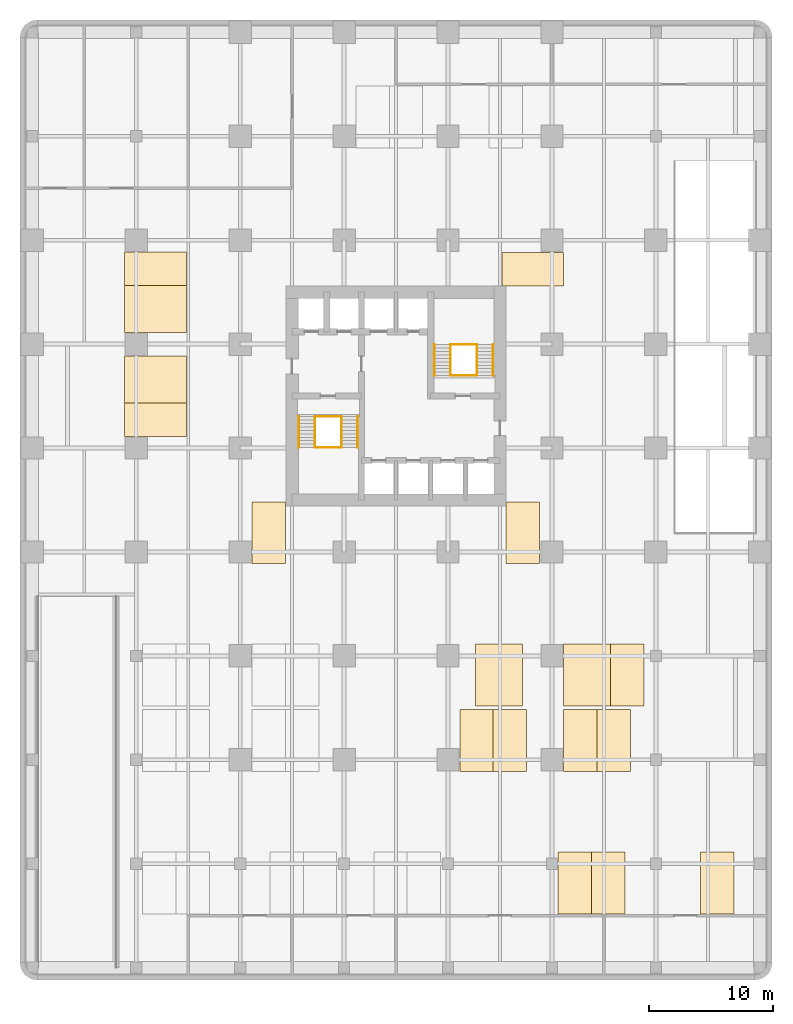
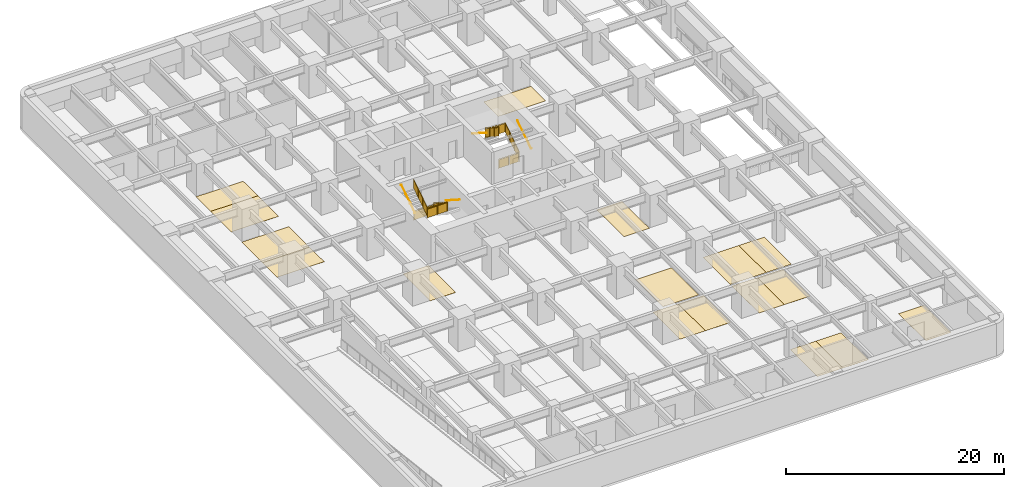
# One storey, part 8 of 9: 17 coverings, 12 railings.
"""IFC4 building model written with IfcOpenShell, lengths in metres."""

from ifc_helpers import new_model, si_unit, direction, frame, origin, origin_2d, place, context, subcontext, project, spatial, polyline, circle, outline, extrude, material, layer, layer_set, type_object, element, save


model = new_model("IFC4")

# Units and contexts
model_context = context("Model", 3, precision=1e-05, world=origin(), true_north=direction((0.0, 1.0)))
body_context = subcontext(model_context, "Body", "Model", "MODEL_VIEW")
ifc_project = project(units=[si_unit("LENGTHUNIT", "METRE"), si_unit("AREAUNIT", "SQUARE_METRE"), si_unit("VOLUMEUNIT", "CUBIC_METRE"), si_unit("PLANEANGLEUNIT", "RADIAN"), si_unit("MASSUNIT", "GRAM", prefix="KILO")], contexts=[model_context])

# Site, building, storey
site_placement = place(None, origin())
site = spatial("IfcSite", under=ifc_project, at=site_placement, CompositionType="ELEMENT")
building_placement = place(site_placement, origin())
building = spatial("IfcBuilding", under=site, at=building_placement, Name="Torre Alcanfor", CompositionType="ELEMENT")
storey_placement = place(building_placement, frame((0.0, 0.0, -3.60009765625)))
storey = spatial("IfcBuildingStorey", under=building, at=storey_placement, Name="B1", CompositionType="ELEMENT", Elevation=-3.60009765625)

# Coverings
ifc_material_1 = material(Name="Line-marking paint on sealed concrete", Category="concrete")
ifc_layer_1 = layer(ifc_material_1, 0.0029296875)
ifc_layer_set_1 = layer_set([ifc_layer_1], Name="Accessible parking bay marking 3800x5000")
covering_type_1 = type_object("IfcCoveringType", Name="Accessible parking bay marking 3800x5000", PredefinedType="USERDEFINED", material=ifc_layer_set_1)
covering_1_placement = place(storey_placement, origin())
element("IfcCovering", 1, at=covering_1_placement, inside=storey, type_object=covering_type_1, Name="Accessible parking bay 122", ObjectType="PARKING BAY", PredefinedType="USERDEFINED", context=body_context, shape_type="SweptSolid", body=[
    extrude(outline(polyline([(35.800048828125, 4.35009765625), (39.60009765625, 4.35009765625), (39.60009765625, 9.35009765625), (35.800048828125, 9.35009765625), (35.800048828125, 4.35009765625)])), origin(), (0.0, 0.0, 1.0), 0.003173828125),
])
covering_2_placement = place(storey_placement, origin())
element("IfcCovering", 2, at=covering_2_placement, inside=storey, type_object=covering_type_1, Name="Accessible parking bay 123", ObjectType="PARKING BAY", PredefinedType="USERDEFINED", context=body_context, shape_type="SweptSolid", body=[
    extrude(outline(polyline([(42.949951171875, 4.35009765625), (46.75, 4.35009765625), (46.75, 9.35009765625), (42.949951171875, 9.35009765625), (42.949951171875, 4.35009765625)])), origin(), (0.0, 0.0, 1.0), 0.003173828125),
])
covering_3_placement = place(storey_placement, origin())
element("IfcCovering", 3, at=covering_3_placement, inside=storey, type_object=covering_type_1, Name="Accessible parking bay 128", ObjectType="PARKING BAY", PredefinedType="USERDEFINED", context=body_context, shape_type="SweptSolid", body=[
    extrude(outline(polyline([(7.449951171875, 28.85009765625), (12.449951171875, 28.85009765625), (12.449951171875, 32.64990234375), (7.449951171875, 32.64990234375), (7.449951171875, 28.85009765625)])), origin(), (0.0, 0.0, 1.0), 0.003173828125),
])
covering_4_placement = place(storey_placement, origin())
element("IfcCovering", 4, at=covering_4_placement, inside=storey, type_object=covering_type_1, Name="Accessible parking bay 129", ObjectType="PARKING BAY", PredefinedType="USERDEFINED", context=body_context, shape_type="SweptSolid", body=[
    extrude(outline(polyline([(7.449951171875, 34.550048828125), (12.449951171875, 34.550048828125), (12.449951171875, 38.35009765625), (7.449951171875, 38.35009765625), (7.449951171875, 34.550048828125)])), origin(), (0.0, 0.0, 1.0), 0.003173828125),
])
ifc_material_2 = material(Name="Line-marking paint on sealed concrete", Category="concrete")
ifc_layer_2 = layer(ifc_material_2, 0.0029296875)
ifc_layer_set_2 = layer_set([ifc_layer_2], Name="Parking bay marking 2700x5000")
covering_type_2 = type_object("IfcCoveringType", Name="Parking bay marking 2700x5000", PredefinedType="USERDEFINED", material=ifc_layer_set_2)
covering_5_placement = place(storey_placement, origin())
element("IfcCovering", 5, at=covering_5_placement, inside=storey, type_object=covering_type_2, Name="Parking bay 107", ObjectType="PARKING BAY", PredefinedType="USERDEFINED", context=body_context, shape_type="SweptSolid", body=[
    extrude(outline(polyline([(42.5, -12.449951171875), (45.199951171875, -12.449951171875), (45.199951171875, -7.449951171875), (42.5, -7.449951171875), (42.5, -12.449951171875)])), origin(), (0.0, 0.0, 1.0), 0.003173828125),
])
covering_6_placement = place(storey_placement, origin())
element("IfcCovering", 6, at=covering_6_placement, inside=storey, type_object=covering_type_2, Name="Parking bay 108", ObjectType="PARKING BAY", PredefinedType="USERDEFINED", context=body_context, shape_type="SweptSolid", body=[
    extrude(outline(polyline([(45.199951171875, -12.449951171875), (47.89990234375, -12.449951171875), (47.89990234375, -7.449951171875), (45.199951171875, -7.449951171875), (45.199951171875, -12.449951171875)])), origin(), (0.0, 0.0, 1.0), 0.003173828125),
])
covering_7_placement = place(storey_placement, origin())
element("IfcCovering", 7, at=covering_7_placement, inside=storey, type_object=covering_type_2, Name="Parking bay 109", ObjectType="PARKING BAY", PredefinedType="USERDEFINED", context=body_context, shape_type="SweptSolid", body=[
    extrude(outline(polyline([(54.0, -12.449951171875), (56.699951171875, -12.449951171875), (56.699951171875, -7.449951171875), (54.0, -7.449951171875), (54.0, -12.449951171875)])), origin(), (0.0, 0.0, 1.0), 0.003173828125),
])
covering_8_placement = place(storey_placement, origin())
element("IfcCovering", 8, at=covering_8_placement, inside=storey, type_object=covering_type_2, Name="Parking bay 114", ObjectType="PARKING BAY", PredefinedType="USERDEFINED", context=body_context, shape_type="SweptSolid", body=[
    extrude(outline(polyline([(34.550048828125, -0.949951171875), (37.25, -0.949951171875), (37.25, 4.050048828125), (34.550048828125, 4.050048828125), (34.550048828125, -0.949951171875)])), origin(), (0.0, 0.0, 1.0), 0.003173828125),
])
covering_9_placement = place(storey_placement, origin())
element("IfcCovering", 9, at=covering_9_placement, inside=storey, type_object=covering_type_2, Name="Parking bay 115", ObjectType="PARKING BAY", PredefinedType="USERDEFINED", context=body_context, shape_type="SweptSolid", body=[
    extrude(outline(polyline([(37.25, -0.949951171875), (39.949951171875, -0.949951171875), (39.949951171875, 4.050048828125), (37.25, 4.050048828125), (37.25, -0.949951171875)])), origin(), (0.0, 0.0, 1.0), 0.003173828125),
])
covering_10_placement = place(storey_placement, origin())
element("IfcCovering", 10, at=covering_10_placement, inside=storey, type_object=covering_type_2, Name="Parking bay 116", ObjectType="PARKING BAY", PredefinedType="USERDEFINED", context=body_context, shape_type="SweptSolid", body=[
    extrude(outline(polyline([(42.949951171875, -0.949951171875), (45.64990234375, -0.949951171875), (45.64990234375, 4.050048828125), (42.949951171875, 4.050048828125), (42.949951171875, -0.949951171875)])), origin(), (0.0, 0.0, 1.0), 0.003173828125),
])
covering_11_placement = place(storey_placement, origin())
element("IfcCovering", 11, at=covering_11_placement, inside=storey, type_object=covering_type_2, Name="Parking bay 117", ObjectType="PARKING BAY", PredefinedType="USERDEFINED", context=body_context, shape_type="SweptSolid", body=[
    extrude(outline(polyline([(45.64990234375, -0.949951171875), (48.35009765625, -0.949951171875), (48.35009765625, 4.050048828125), (45.64990234375, 4.050048828125), (45.64990234375, -0.949951171875)])), origin(), (0.0, 0.0, 1.0), 0.003173828125),
])
covering_12_placement = place(storey_placement, origin())
element("IfcCovering", 12, at=covering_12_placement, inside=storey, type_object=covering_type_2, Name="Parking bay 124", ObjectType="PARKING BAY", PredefinedType="USERDEFINED", context=body_context, shape_type="SweptSolid", body=[
    extrude(outline(polyline([(46.75, 4.35009765625), (49.449951171875, 4.35009765625), (49.449951171875, 9.35009765625), (46.75, 9.35009765625), (46.75, 4.35009765625)])), origin(), (0.0, 0.0, 1.0), 0.003173828125),
])
covering_13_placement = place(storey_placement, origin())
element("IfcCovering", 13, at=covering_13_placement, inside=storey, type_object=covering_type_2, Name="Parking bay 125", ObjectType="PARKING BAY", PredefinedType="USERDEFINED", context=body_context, shape_type="SweptSolid", body=[
    extrude(outline(polyline([(17.75, 15.85009765625), (20.449951171875, 15.85009765625), (20.449951171875, 20.85009765625), (17.75, 20.85009765625), (17.75, 15.85009765625)])), origin(), (0.0, 0.0, 1.0), 0.003173828125),
])
covering_14_placement = place(storey_placement, origin())
element("IfcCovering", 14, at=covering_14_placement, inside=storey, type_object=covering_type_2, Name="Parking bay 126", ObjectType="PARKING BAY", PredefinedType="USERDEFINED", context=body_context, shape_type="SweptSolid", body=[
    extrude(outline(polyline([(38.300048828125, 15.85009765625), (41.0, 15.85009765625), (41.0, 20.85009765625), (38.300048828125, 20.85009765625), (38.300048828125, 15.85009765625)])), origin(), (0.0, 0.0, 1.0), 0.003173828125),
])
covering_15_placement = place(storey_placement, origin())
element("IfcCovering", 15, at=covering_15_placement, inside=storey, type_object=covering_type_2, Name="Parking bay 127", ObjectType="PARKING BAY", PredefinedType="USERDEFINED", context=body_context, shape_type="SweptSolid", body=[
    extrude(outline(polyline([(7.449951171875, 26.14990234375), (12.449951171875, 26.14990234375), (12.449951171875, 28.85009765625), (7.449951171875, 28.85009765625), (7.449951171875, 26.14990234375)])), origin(), (0.0, 0.0, 1.0), 0.003173828125),
])
covering_16_placement = place(storey_placement, origin())
element("IfcCovering", 16, at=covering_16_placement, inside=storey, type_object=covering_type_2, Name="Parking bay 130", ObjectType="PARKING BAY", PredefinedType="USERDEFINED", context=body_context, shape_type="SweptSolid", body=[
    extrude(outline(polyline([(7.449951171875, 38.35009765625), (12.449951171875, 38.35009765625), (12.449951171875, 41.050048828125), (7.449951171875, 41.050048828125), (7.449951171875, 38.35009765625)])), origin(), (0.0, 0.0, 1.0), 0.003173828125),
])
covering_17_placement = place(storey_placement, origin())
element("IfcCovering", 17, at=covering_17_placement, inside=storey, type_object=covering_type_2, Name="Parking bay 131", ObjectType="PARKING BAY", PredefinedType="USERDEFINED", context=body_context, shape_type="SweptSolid", body=[
    extrude(outline(polyline([(37.949951171875, 38.300048828125), (42.949951171875, 38.300048828125), (42.949951171875, 41.0), (37.949951171875, 41.0), (37.949951171875, 38.300048828125)])), origin(), (0.0, 0.0, 1.0), 0.003173828125),
])

# Railings
ifc_material_3 = material(Name="Steel ASTM A500 Grade C hollow sections", Category="steel")
railing_type_1 = type_object("IfcRailingType", Name="Stair guard and handrail 1100", PredefinedType="GUARDRAIL", material=ifc_material_3)
railing_1_placement = place(storey_placement, frame((25.0, 27.75, 0.18017578125)))
element("IfcRailing", 18, at=railing_1_placement, inside=storey, type_object=railing_type_1, Name="Stair guard S1 B1 flight 1", PredefinedType="GUARDRAIL", context=body_context, shape_type="SweptSolid", body=[
    extrude(circle(Radius=0.02392578125, at=origin_2d()), frame((0.0, 0.0, 1.076171875), z_axis=(0.0, -0.841199657755, 0.540724639528), x_axis=(1.0, 0.0, 0.0)), (0.0, 0.0, 1.0), 2.995849609375),
    extrude(circle(Radius=0.02099609375, at=origin_2d()), origin(), (0.0, 0.0, 1.0), 1.052001953125),
    extrude(circle(Radius=0.02099609375, at=origin_2d()), frame((0.0, -0.840087890625, 0.5400390625)), (0.0, 0.0, 1.0), 1.052001953125),
    extrude(circle(Radius=0.02099609375, at=origin_2d()), frame((0.0, -1.679931640625, 1.079833984375)), (0.0, 0.0, 1.0), 1.052001953125),
    extrude(circle(Radius=0.02099609375, at=origin_2d()), frame((0.0, -2.52001953125, 1.619873046875)), (0.0, 0.0, 1.0), 1.052001953125),
    extrude(outline(polyline([(0.041015625, 0.076416015625), (0.799072265625, 0.563720703125), (0.799072265625, 1.515625), (0.041015625, 1.0283203125), (0.041015625, 0.076416015625)])), frame((0.005859375, 0.0, 0.0), z_axis=(-1.0, 0.0, 0.0), x_axis=(0.0, -1.0, 0.0)), (0.0, 0.0, 1.0), 0.011962890625),
    extrude(outline(polyline([(0.881103515625, 0.6162109375), (1.638916015625, 1.103515625), (1.638916015625, 2.0556640625), (0.881103515625, 1.568359375), (0.881103515625, 0.6162109375)])), frame((0.005859375, 0.0, 0.0), z_axis=(-1.0, 0.0, 0.0), x_axis=(0.0, -1.0, 0.0)), (0.0, 0.0, 1.0), 0.011962890625),
    extrude(outline(polyline([(1.720947265625, 1.15625), (2.47900390625, 1.6435546875), (2.47900390625, 2.595458984375), (1.720947265625, 2.108154296875), (1.720947265625, 1.15625)])), frame((0.005859375, 0.0, 0.0), z_axis=(-1.0, 0.0, 0.0), x_axis=(0.0, -1.0, 0.0)), (0.0, 0.0, 1.0), 0.011962890625),
])
railing_2_placement = place(storey_placement, frame((22.85009765625, 25.22998046875, 1.97998046875)))
element("IfcRailing", 19, at=railing_2_placement, inside=storey, type_object=railing_type_1, Name="Stair guard S1 B1 flight 2", PredefinedType="GUARDRAIL", context=body_context, shape_type="SweptSolid", body=[
    extrude(circle(Radius=0.02392578125, at=origin_2d()), frame((0.0, 0.0, 1.076171875), z_axis=(0.0, 0.841162588446, 0.540782303519), x_axis=(-1.0, 0.0, 0.0)), (0.0, 0.0, 1.0), 2.995849609375),
    extrude(circle(Radius=0.02099609375, at=origin_2d()), origin(), (0.0, 0.0, 1.0), 1.052001953125),
    extrude(circle(Radius=0.02099609375, at=origin_2d()), frame((0.0, 0.840087890625, 0.5400390625)), (0.0, 0.0, 1.0), 1.052001953125),
    extrude(circle(Radius=0.02099609375, at=origin_2d()), frame((0.0, 1.679931640625, 1.080078125)), (0.0, 0.0, 1.0), 1.052001953125),
    extrude(circle(Radius=0.02099609375, at=origin_2d()), frame((0.0, 2.52001953125, 1.6201171875)), (0.0, 0.0, 1.0), 1.052001953125),
    extrude(outline(polyline([(0.041015625, 0.076416015625), (0.799072265625, 0.563720703125), (0.799072265625, 1.515625), (0.041015625, 1.0283203125), (0.041015625, 0.076416015625)])), frame((-0.005859375, 0.0, 0.0), z_axis=(1.0, 0.0, 0.0), x_axis=(0.0, 1.0, 0.0)), (0.0, 0.0, 1.0), 0.011962890625),
    extrude(outline(polyline([(0.881103515625, 0.616455078125), (1.638916015625, 1.103759765625), (1.638916015625, 2.0556640625), (0.881103515625, 1.568359375), (0.881103515625, 0.616455078125)])), frame((-0.005859375, 0.0, 0.0), z_axis=(1.0, 0.0, 0.0), x_axis=(0.0, 1.0, 0.0)), (0.0, 0.0, 1.0), 0.011962890625),
    extrude(outline(polyline([(1.720947265625, 1.156494140625), (2.47900390625, 1.643798828125), (2.47900390625, 2.595703125), (1.720947265625, 2.1083984375), (1.720947265625, 1.156494140625)])), frame((-0.005859375, 0.0, 0.0), z_axis=(1.0, 0.0, 0.0), x_axis=(0.0, 1.0, 0.0)), (0.0, 0.0, 1.0), 0.011962890625),
])
for number, where, name in (
    (20, (22.85009765625, 27.75, 0.0), "Stair well guard S1 B1 floor landing"),
    (21, (22.85009765625, 25.22998046875, 1.800048828125), "Stair well guard S1 B1 half landing"),
):
    element("IfcRailing", number, at=place(storey_placement, frame(where)), inside=storey, type_object=railing_type_1, Name=name, PredefinedType="GUARDRAIL", context=body_context, shape_type="SweptSolid", body=[
        extrude(circle(Radius=0.02392578125, at=origin_2d()), frame((0.0, 0.0, 1.076171875), z_axis=(1.0, 0.0, 0.0), x_axis=(0.0, 1.0, 0.0)), (0.0, 0.0, 1.0), 2.14990234375),
        extrude(circle(Radius=0.02099609375, at=origin_2d()), origin(), (0.0, 0.0, 1.0), 1.052001953125),
        extrude(circle(Radius=0.02099609375, at=origin_2d()), frame((1.074951171875, 0.0, 0.0)), (0.0, 0.0, 1.0), 1.052001953125),
        extrude(circle(Radius=0.02099609375, at=origin_2d()), frame((2.14990234375, 0.0, 0.0)), (0.0, 0.0, 1.0), 1.052001953125),
        extrude(outline(polyline([(0.041015625, 0.050048828125), (1.033935546875, 0.050048828125), (1.033935546875, 1.001953125), (0.041015625, 1.001953125), (0.041015625, 0.050048828125)])), frame((0.0, 0.005859375, 0.0), z_axis=(0.0, -1.0, 0.0), x_axis=(1.0, 0.0, 0.0)), (0.0, 0.0, 1.0), 0.011962890625),
        extrude(outline(polyline([(1.115966796875, 0.050048828125), (2.10888671875, 0.050048828125), (2.10888671875, 1.001953125), (1.115966796875, 1.001953125), (1.115966796875, 0.050048828125)])), frame((0.0, 0.005859375, 0.0), z_axis=(0.0, -1.0, 0.0), x_axis=(1.0, 0.0, 0.0)), (0.0, 0.0, 1.0), 0.011962890625),
    ])
railing_3_placement = place(storey_placement, frame((35.949951171875, 31.050048828125, 0.18017578125)))
element("IfcRailing", 22, at=railing_3_placement, inside=storey, type_object=railing_type_1, Name="Stair guard S2 B1 flight 1", PredefinedType="GUARDRAIL", context=body_context, shape_type="SweptSolid", body=[
    extrude(circle(Radius=0.02392578125, at=origin_2d()), frame((0.0, 0.0, 1.076171875), z_axis=(0.0, 0.841199657755, 0.540724639528), x_axis=(-1.0, 0.0, 0.0)), (0.0, 0.0, 1.0), 2.995849609375),
    extrude(circle(Radius=0.02099609375, at=origin_2d()), origin(), (0.0, 0.0, 1.0), 1.052001953125),
    extrude(circle(Radius=0.02099609375, at=origin_2d()), frame((0.0, 0.840087890625, 0.5400390625)), (0.0, 0.0, 1.0), 1.052001953125),
    extrude(circle(Radius=0.02099609375, at=origin_2d()), frame((0.0, 1.679931640625, 1.079833984375)), (0.0, 0.0, 1.0), 1.052001953125),
    extrude(circle(Radius=0.02099609375, at=origin_2d()), frame((0.0, 2.52001953125, 1.619873046875)), (0.0, 0.0, 1.0), 1.052001953125),
    extrude(outline(polyline([(0.041015625, 0.076416015625), (0.799072265625, 0.563720703125), (0.799072265625, 1.515625), (0.041015625, 1.0283203125), (0.041015625, 0.076416015625)])), frame((-0.005859375, 0.0, 0.0), z_axis=(1.0, 0.0, 0.0), x_axis=(0.0, 1.0, 0.0)), (0.0, 0.0, 1.0), 0.011962890625),
    extrude(outline(polyline([(0.881103515625, 0.6162109375), (1.638916015625, 1.103515625), (1.638916015625, 2.0556640625), (0.881103515625, 1.568359375), (0.881103515625, 0.6162109375)])), frame((-0.005859375, 0.0, 0.0), z_axis=(1.0, 0.0, 0.0), x_axis=(0.0, 1.0, 0.0)), (0.0, 0.0, 1.0), 0.011962890625),
    extrude(outline(polyline([(1.720947265625, 1.15625), (2.47900390625, 1.6435546875), (2.47900390625, 2.595458984375), (1.720947265625, 2.108154296875), (1.720947265625, 1.15625)])), frame((-0.005859375, 0.0, 0.0), z_axis=(1.0, 0.0, 0.0), x_axis=(0.0, 1.0, 0.0)), (0.0, 0.0, 1.0), 0.011962890625),
])
railing_4_placement = place(storey_placement, frame((33.800048828125, 33.570068359375, 1.97998046875)))
element("IfcRailing", 23, at=railing_4_placement, inside=storey, type_object=railing_type_1, Name="Stair guard S2 B1 flight 2", PredefinedType="GUARDRAIL", context=body_context, shape_type="SweptSolid", body=[
    extrude(circle(Radius=0.02392578125, at=origin_2d()), frame((0.0, 0.0, 1.076171875), z_axis=(0.0, -0.841162588446, 0.540782303519), x_axis=(1.0, 0.0, 0.0)), (0.0, 0.0, 1.0), 2.995849609375),
    extrude(circle(Radius=0.02099609375, at=origin_2d()), origin(), (0.0, 0.0, 1.0), 1.052001953125),
    extrude(circle(Radius=0.02099609375, at=origin_2d()), frame((0.0, -0.840087890625, 0.5400390625)), (0.0, 0.0, 1.0), 1.052001953125),
    extrude(circle(Radius=0.02099609375, at=origin_2d()), frame((0.0, -1.679931640625, 1.080078125)), (0.0, 0.0, 1.0), 1.052001953125),
    extrude(circle(Radius=0.02099609375, at=origin_2d()), frame((0.0, -2.52001953125, 1.6201171875)), (0.0, 0.0, 1.0), 1.052001953125),
    extrude(outline(polyline([(0.041015625, 0.076416015625), (0.799072265625, 0.563720703125), (0.799072265625, 1.515625), (0.041015625, 1.0283203125), (0.041015625, 0.076416015625)])), frame((0.005859375, 0.0, 0.0), z_axis=(-1.0, 0.0, 0.0), x_axis=(0.0, -1.0, 0.0)), (0.0, 0.0, 1.0), 0.011962890625),
    extrude(outline(polyline([(0.881103515625, 0.616455078125), (1.638916015625, 1.103759765625), (1.638916015625, 2.0556640625), (0.881103515625, 1.568359375), (0.881103515625, 0.616455078125)])), frame((0.005859375, 0.0, 0.0), z_axis=(-1.0, 0.0, 0.0), x_axis=(0.0, -1.0, 0.0)), (0.0, 0.0, 1.0), 0.011962890625),
    extrude(outline(polyline([(1.720947265625, 1.156494140625), (2.47900390625, 1.643798828125), (2.47900390625, 2.595703125), (1.720947265625, 2.1083984375), (1.720947265625, 1.156494140625)])), frame((0.005859375, 0.0, 0.0), z_axis=(-1.0, 0.0, 0.0), x_axis=(0.0, -1.0, 0.0)), (0.0, 0.0, 1.0), 0.011962890625),
])
for number, where, name in (
    (24, (33.800048828125, 31.050048828125, 0.0), "Stair well guard S2 B1 floor landing"),
    (25, (33.800048828125, 33.570068359375, 1.800048828125), "Stair well guard S2 B1 half landing"),
):
    element("IfcRailing", number, at=place(storey_placement, frame(where)), inside=storey, type_object=railing_type_1, Name=name, PredefinedType="GUARDRAIL", context=body_context, shape_type="SweptSolid", body=[
        extrude(circle(Radius=0.02392578125, at=origin_2d()), frame((0.0, 0.0, 1.076171875), z_axis=(1.0, 0.0, 0.0), x_axis=(0.0, 1.0, 0.0)), (0.0, 0.0, 1.0), 2.14990234375),
        extrude(circle(Radius=0.02099609375, at=origin_2d()), origin(), (0.0, 0.0, 1.0), 1.052001953125),
        extrude(circle(Radius=0.02099609375, at=origin_2d()), frame((1.074951171875, 0.0, 0.0)), (0.0, 0.0, 1.0), 1.052001953125),
        extrude(circle(Radius=0.02099609375, at=origin_2d()), frame((2.14990234375, 0.0, 0.0)), (0.0, 0.0, 1.0), 1.052001953125),
        extrude(outline(polyline([(0.041015625, 0.050048828125), (1.033935546875, 0.050048828125), (1.033935546875, 1.001953125), (0.041015625, 1.001953125), (0.041015625, 0.050048828125)])), frame((0.0, 0.005859375, 0.0), z_axis=(0.0, -1.0, 0.0), x_axis=(1.0, 0.0, 0.0)), (0.0, 0.0, 1.0), 0.011962890625),
        extrude(outline(polyline([(1.115966796875, 0.050048828125), (2.10888671875, 0.050048828125), (2.10888671875, 1.001953125), (1.115966796875, 1.001953125), (1.115966796875, 0.050048828125)])), frame((0.0, 0.005859375, 0.0), z_axis=(0.0, -1.0, 0.0), x_axis=(1.0, 0.0, 0.0)), (0.0, 0.0, 1.0), 0.011962890625),
    ])
ifc_material_4 = material(Name="Steel ASTM A500 Grade C hollow sections", Category="steel")
railing_type_2 = type_object("IfcRailingType", Name="Stair wall handrail 900", PredefinedType="HANDRAIL", material=ifc_material_4)
railing_5_placement = place(storey_placement, frame((26.284912109375, 27.75, 0.18017578125)))
element("IfcRailing", 26, at=railing_5_placement, inside=storey, type_object=railing_type_2, Name="Stair handrail S1 B1 flight 1", PredefinedType="HANDRAIL", context=body_context, shape_type="SweptSolid", body=[
    extrude(circle(Radius=0.02392578125, at=origin_2d()), frame((0.0, 0.0, 0.8759765625), z_axis=(0.0, -0.841199657755, 0.540724639528), x_axis=(1.0, 0.0, 0.0)), (0.0, 0.0, 1.0), 2.995849609375),
    extrude(circle(Radius=0.008056640625, at=origin_2d()), frame((0.0, 0.0, 0.8759765625), z_axis=(1.0, 0.0, 0.0), x_axis=(0.0, 0.0, 1.0)), (0.0, 0.0, 1.0), 0.06494140625),
    extrude(circle(Radius=0.008056640625, at=origin_2d()), frame((0.0, -0.840087890625, 1.415771484375), z_axis=(1.0, 0.0, 0.0), x_axis=(0.0, 0.0, 1.0)), (0.0, 0.0, 1.0), 0.06494140625),
    extrude(circle(Radius=0.008056640625, at=origin_2d()), frame((0.0, -1.679931640625, 1.955810546875), z_axis=(1.0, 0.0, 0.0), x_axis=(0.0, 0.0, 1.0)), (0.0, 0.0, 1.0), 0.06494140625),
    extrude(circle(Radius=0.008056640625, at=origin_2d()), frame((0.0, -2.52001953125, 2.49560546875), z_axis=(1.0, 0.0, 0.0), x_axis=(0.0, 0.0, 1.0)), (0.0, 0.0, 1.0), 0.06494140625),
])
railing_6_placement = place(storey_placement, frame((21.56494140625, 25.22998046875, 1.97998046875)))
element("IfcRailing", 27, at=railing_6_placement, inside=storey, type_object=railing_type_2, Name="Stair handrail S1 B1 flight 2", PredefinedType="HANDRAIL", context=body_context, shape_type="SweptSolid", body=[
    extrude(circle(Radius=0.02392578125, at=origin_2d()), frame((0.0, 0.0, 0.8759765625), z_axis=(0.0, 0.841162588446, 0.540782303519), x_axis=(-1.0, 0.0, 0.0)), (0.0, 0.0, 1.0), 2.995849609375),
    extrude(circle(Radius=0.008056640625, at=origin_2d()), frame((0.0, 0.0, 0.8759765625), z_axis=(-1.0, 0.0, 0.0), x_axis=(0.0, 0.0, 1.0)), (0.0, 0.0, 1.0), 0.06494140625),
    extrude(circle(Radius=0.008056640625, at=origin_2d()), frame((0.0, 0.840087890625, 1.416015625), z_axis=(-1.0, 0.0, 0.0), x_axis=(0.0, 0.0, 1.0)), (0.0, 0.0, 1.0), 0.06494140625),
    extrude(circle(Radius=0.008056640625, at=origin_2d()), frame((0.0, 1.679931640625, 1.9560546875), z_axis=(-1.0, 0.0, 0.0), x_axis=(0.0, 0.0, 1.0)), (0.0, 0.0, 1.0), 0.06494140625),
    extrude(circle(Radius=0.008056640625, at=origin_2d()), frame((0.0, 2.52001953125, 2.49609375), z_axis=(-1.0, 0.0, 0.0), x_axis=(0.0, 0.0, 1.0)), (0.0, 0.0, 1.0), 0.06494140625),
])
railing_7_placement = place(storey_placement, frame((37.235107421875, 31.050048828125, 0.18017578125)))
element("IfcRailing", 28, at=railing_7_placement, inside=storey, type_object=railing_type_2, Name="Stair handrail S2 B1 flight 1", PredefinedType="HANDRAIL", context=body_context, shape_type="SweptSolid", body=[
    extrude(circle(Radius=0.02392578125, at=origin_2d()), frame((0.0, 0.0, 0.8759765625), z_axis=(0.0, 0.841199657755, 0.540724639528), x_axis=(-1.0, 0.0, 0.0)), (0.0, 0.0, 1.0), 2.995849609375),
    extrude(circle(Radius=0.008056640625, at=origin_2d()), frame((0.0, 0.0, 0.8759765625), z_axis=(1.0, 0.0, 0.0), x_axis=(0.0, 0.0, 1.0)), (0.0, 0.0, 1.0), 0.06494140625),
    extrude(circle(Radius=0.008056640625, at=origin_2d()), frame((0.0, 0.840087890625, 1.415771484375), z_axis=(1.0, 0.0, 0.0), x_axis=(0.0, 0.0, 1.0)), (0.0, 0.0, 1.0), 0.06494140625),
    extrude(circle(Radius=0.008056640625, at=origin_2d()), frame((0.0, 1.679931640625, 1.955810546875), z_axis=(1.0, 0.0, 0.0), x_axis=(0.0, 0.0, 1.0)), (0.0, 0.0, 1.0), 0.06494140625),
    extrude(circle(Radius=0.008056640625, at=origin_2d()), frame((0.0, 2.52001953125, 2.49560546875), z_axis=(1.0, 0.0, 0.0), x_axis=(0.0, 0.0, 1.0)), (0.0, 0.0, 1.0), 0.06494140625),
])
railing_8_placement = place(storey_placement, frame((32.514892578125, 33.570068359375, 1.97998046875)))
element("IfcRailing", 29, at=railing_8_placement, inside=storey, type_object=railing_type_2, Name="Stair handrail S2 B1 flight 2", PredefinedType="HANDRAIL", context=body_context, shape_type="SweptSolid", body=[
    extrude(circle(Radius=0.02392578125, at=origin_2d()), frame((0.0, 0.0, 0.8759765625), z_axis=(0.0, -0.841162588446, 0.540782303519), x_axis=(1.0, 0.0, 0.0)), (0.0, 0.0, 1.0), 2.995849609375),
    extrude(circle(Radius=0.008056640625, at=origin_2d()), frame((0.0, 0.0, 0.8759765625), z_axis=(-1.0, 0.0, 0.0), x_axis=(0.0, 0.0, 1.0)), (0.0, 0.0, 1.0), 0.06494140625),
    extrude(circle(Radius=0.008056640625, at=origin_2d()), frame((0.0, -0.840087890625, 1.416015625), z_axis=(-1.0, 0.0, 0.0), x_axis=(0.0, 0.0, 1.0)), (0.0, 0.0, 1.0), 0.06494140625),
    extrude(circle(Radius=0.008056640625, at=origin_2d()), frame((0.0, -1.679931640625, 1.9560546875), z_axis=(-1.0, 0.0, 0.0), x_axis=(0.0, 0.0, 1.0)), (0.0, 0.0, 1.0), 0.06494140625),
    extrude(circle(Radius=0.008056640625, at=origin_2d()), frame((0.0, -2.52001953125, 2.49609375), z_axis=(-1.0, 0.0, 0.0), x_axis=(0.0, 0.0, 1.0)), (0.0, 0.0, 1.0), 0.06494140625),
])

save(model, "model.ifc")
